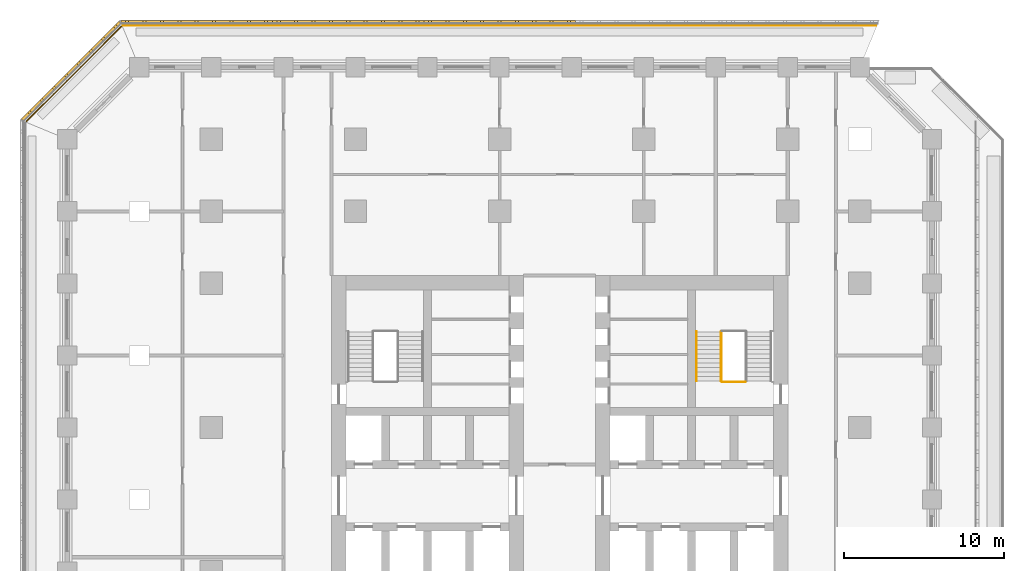
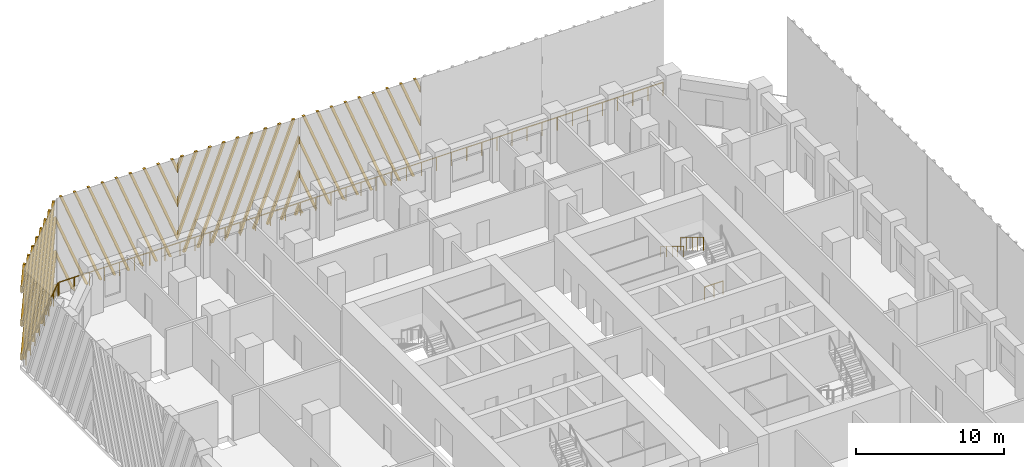
# One storey, part 16 of 19: 5 railings, 4 shading devices.
"""IFC4 building model written with IfcOpenShell, lengths in metres."""

from ifc_helpers import new_model, si_unit, direction, frame, origin, origin_2d, place, context, subcontext, project, spatial, polyline, circle, outline, extrude, source, transform, mapped, material, type_object, element, save


model = new_model("IFC4")

# Units and contexts
model_context = context("Model", 3, precision=1e-05, world=origin(), true_north=direction((0.0, 1.0)))
body_context = subcontext(model_context, "Body", "Model", "MODEL_VIEW")
ifc_project = project(units=[si_unit("LENGTHUNIT", "METRE"), si_unit("AREAUNIT", "SQUARE_METRE"), si_unit("VOLUMEUNIT", "CUBIC_METRE"), si_unit("PLANEANGLEUNIT", "RADIAN"), si_unit("MASSUNIT", "GRAM", prefix="KILO")], contexts=[model_context])

# Site, building, storey
site_placement = place(None, origin())
site = spatial("IfcSite", under=ifc_project, at=site_placement, CompositionType="ELEMENT")
building_placement = place(site_placement, origin())
building = spatial("IfcBuilding", under=site, at=building_placement, Name="Corbel Stack Research Tower", CompositionType="ELEMENT")
storey_placement = place(building_placement, frame((0.0, 0.0, 116.699951171875)))
storey = spatial("IfcBuildingStorey", under=building, at=storey_placement, Name="L26", CompositionType="ELEMENT", Elevation=116.699951171875)

# Railings
ifc_material_1 = material(Name="Steel S355", Category="steel")
railing_type_1 = type_object("IfcRailingType", Name="Stair guard 1100", PredefinedType="GUARDRAIL", material=ifc_material_1)
railing_1_placement = place(storey_placement, frame((13.85009765625, 14.97998046875, 2.220947265625)))
element("IfcRailing", 1, at=railing_1_placement, inside=storey, type_object=railing_type_1, Name="L26 ST-E2 stair guard 4", PredefinedType="GUARDRAIL", context=body_context, shape_type="SweptSolid", body=[
    extrude(circle(Radius=0.02392578125, at=origin_2d()), frame((0.0, 0.0, 1.076171875), z_axis=(0.0, -0.853666305674, 0.52082035152), x_axis=(1.0, 0.0, 0.0)), (0.0, 0.0, 1.0), 3.608154296875),
    extrude(circle(Radius=0.02099609375, at=origin_2d()), origin(), (0.0, 0.0, 1.0), 1.052001953125),
    extrude(circle(Radius=0.02099609375, at=origin_2d()), frame((0.0, -0.77001953125, 0.4697265625)), (0.0, 0.0, 1.0), 1.052001953125),
    extrude(circle(Radius=0.02099609375, at=origin_2d()), frame((0.0, -1.5400390625, 0.939453125)), (0.0, 0.0, 1.0), 1.052001953125),
    extrude(circle(Radius=0.02099609375, at=origin_2d()), frame((0.0, -2.31005859375, 1.409423828125)), (0.0, 0.0, 1.0), 1.052001953125),
    extrude(circle(Radius=0.02099609375, at=origin_2d()), frame((0.0, -3.080078125, 1.879150390625)), (0.0, 0.0, 1.0), 1.052001953125),
])
railing_2_placement = place(storey_placement, frame((15.35009765625, 11.85009765625, 0.0)))
element("IfcRailing", 2, at=railing_2_placement, inside=storey, type_object=railing_type_1, Name="L26 ST-E2 stair guard 5", PredefinedType="GUARDRAIL", context=body_context, shape_type="SweptSolid", body=[
    extrude(circle(Radius=0.02392578125, at=origin_2d()), frame((0.0, 0.0, 1.076171875), z_axis=(-1.0, 0.0, 0.0), x_axis=(0.0, -1.0, 0.0)), (0.0, 0.0, 1.0), 1.4501953125),
    extrude(circle(Radius=0.02099609375, at=origin_2d()), origin(), (0.0, 0.0, 1.0), 1.052001953125),
    extrude(circle(Radius=0.02099609375, at=origin_2d()), frame((-0.72509765625, 0.0, 0.0)), (0.0, 0.0, 1.0), 1.052001953125),
    extrude(circle(Radius=0.02099609375, at=origin_2d()), frame((-1.4501953125, 0.0, 0.0)), (0.0, 0.0, 1.0), 1.052001953125),
])
ifc_material_2 = material(Name="Steel S355", Category="steel")
railing_type_2 = type_object("IfcRailingType", Name="Stair handrail 900", PredefinedType="HANDRAIL", material=ifc_material_2)
railing_3_placement = place(storey_placement, frame((12.300048828125, 14.97998046875, 2.220947265625)))
element("IfcRailing", 3, at=railing_3_placement, inside=storey, type_object=railing_type_2, Name="L26 ST-E2 stair handrail 2", PredefinedType="HANDRAIL", context=body_context, shape_type="SweptSolid", body=[
    extrude(circle(Radius=0.02392578125, at=origin_2d()), frame((0.0, 0.0, 0.8759765625), z_axis=(0.0, -0.853666305674, 0.52082035152), x_axis=(1.0, 0.0, 0.0)), (0.0, 0.0, 1.0), 3.608154296875),
    extrude(circle(Radius=0.02099609375, at=origin_2d()), origin(), (0.0, 0.0, 1.0), 0.851806640625),
    extrude(circle(Radius=0.02099609375, at=origin_2d()), frame((0.0, -0.77001953125, 0.4697265625)), (0.0, 0.0, 1.0), 0.851806640625),
    extrude(circle(Radius=0.02099609375, at=origin_2d()), frame((0.0, -1.5400390625, 0.939453125)), (0.0, 0.0, 1.0), 0.851806640625),
    extrude(circle(Radius=0.02099609375, at=origin_2d()), frame((0.0, -2.31005859375, 1.409423828125)), (0.0, 0.0, 1.0), 0.851806640625),
    extrude(circle(Radius=0.02099609375, at=origin_2d()), frame((0.0, -3.080078125, 1.879150390625)), (0.0, 0.0, 1.0), 0.851806640625),
])
ifc_material_3 = material(Name="Powder-coated steel guard", Category="steel")
railing_type_3 = type_object("IfcRailingType", Name="Steel and glass guard 1100", PredefinedType="GUARDRAIL", material=ifc_material_3)
railing_4_placement = place(storey_placement, frame((23.50537109375, 34.10009765625, 0.0)))
element("IfcRailing", 4, at=railing_4_placement, inside=storey, type_object=railing_type_3, Name="Loggia guard L26 N", PredefinedType="GUARDRAIL", context=body_context, shape_type="SweptSolid", body=[
    extrude(circle(Radius=0.02392578125, at=origin_2d()), frame((0.0, 0.0, 1.076171875), z_axis=(-1.0, 0.0, 0.0), x_axis=(0.0, -1.0, 0.0)), (0.0, 0.0, 1.0), 47.0107421875),
    extrude(circle(Radius=0.02099609375, at=origin_2d()), origin(), (0.0, 0.0, 1.0), 1.052001953125),
    extrude(circle(Radius=0.02099609375, at=origin_2d()), frame((-1.17529296875, 0.0, 0.0)), (0.0, 0.0, 1.0), 1.052001953125),
    extrude(circle(Radius=0.02099609375, at=origin_2d()), frame((-2.3505859375, 0.0, 0.0)), (0.0, 0.0, 1.0), 1.052001953125),
    extrude(circle(Radius=0.02099609375, at=origin_2d()), frame((-3.52587890625, 0.0, 0.0)), (0.0, 0.0, 1.0), 1.052001953125),
    extrude(circle(Radius=0.02099609375, at=origin_2d()), frame((-4.701171875, 0.0, 0.0)), (0.0, 0.0, 1.0), 1.052001953125),
    extrude(circle(Radius=0.02099609375, at=origin_2d()), frame((-5.87646484375, 0.0, 0.0)), (0.0, 0.0, 1.0), 1.052001953125),
    extrude(circle(Radius=0.02099609375, at=origin_2d()), frame((-7.051513671875, 0.0, 0.0)), (0.0, 0.0, 1.0), 1.052001953125),
    extrude(circle(Radius=0.02099609375, at=origin_2d()), frame((-8.226806640625, 0.0, 0.0)), (0.0, 0.0, 1.0), 1.052001953125),
    extrude(circle(Radius=0.02099609375, at=origin_2d()), frame((-9.402099609375, 0.0, 0.0)), (0.0, 0.0, 1.0), 1.052001953125),
    extrude(circle(Radius=0.02099609375, at=origin_2d()), frame((-10.577392578125, 0.0, 0.0)), (0.0, 0.0, 1.0), 1.052001953125),
    extrude(circle(Radius=0.02099609375, at=origin_2d()), frame((-11.752685546875, 0.0, 0.0)), (0.0, 0.0, 1.0), 1.052001953125),
    extrude(circle(Radius=0.02099609375, at=origin_2d()), frame((-12.927978515625, 0.0, 0.0)), (0.0, 0.0, 1.0), 1.052001953125),
    extrude(circle(Radius=0.02099609375, at=origin_2d()), frame((-14.103271484375, 0.0, 0.0)), (0.0, 0.0, 1.0), 1.052001953125),
    extrude(circle(Radius=0.02099609375, at=origin_2d()), frame((-15.278564453125, 0.0, 0.0)), (0.0, 0.0, 1.0), 1.052001953125),
    extrude(circle(Radius=0.02099609375, at=origin_2d()), frame((-16.453857421875, 0.0, 0.0)), (0.0, 0.0, 1.0), 1.052001953125),
    extrude(circle(Radius=0.02099609375, at=origin_2d()), frame((-17.62890625, 0.0, 0.0)), (0.0, 0.0, 1.0), 1.052001953125),
    extrude(circle(Radius=0.02099609375, at=origin_2d()), frame((-18.80419921875, 0.0, 0.0)), (0.0, 0.0, 1.0), 1.052001953125),
    extrude(circle(Radius=0.02099609375, at=origin_2d()), frame((-19.9794921875, 0.0, 0.0)), (0.0, 0.0, 1.0), 1.052001953125),
    extrude(circle(Radius=0.02099609375, at=origin_2d()), frame((-21.15478515625, 0.0, 0.0)), (0.0, 0.0, 1.0), 1.052001953125),
    extrude(circle(Radius=0.02099609375, at=origin_2d()), frame((-22.330078125, 0.0, 0.0)), (0.0, 0.0, 1.0), 1.052001953125),
    extrude(circle(Radius=0.02099609375, at=origin_2d()), frame((-23.50537109375, 0.0, 0.0)), (0.0, 0.0, 1.0), 1.052001953125),
    extrude(circle(Radius=0.02099609375, at=origin_2d()), frame((-24.6806640625, 0.0, 0.0)), (0.0, 0.0, 1.0), 1.052001953125),
    extrude(circle(Radius=0.02099609375, at=origin_2d()), frame((-25.85595703125, 0.0, 0.0)), (0.0, 0.0, 1.0), 1.052001953125),
    extrude(circle(Radius=0.02099609375, at=origin_2d()), frame((-27.03125, 0.0, 0.0)), (0.0, 0.0, 1.0), 1.052001953125),
    extrude(circle(Radius=0.02099609375, at=origin_2d()), frame((-28.20654296875, 0.0, 0.0)), (0.0, 0.0, 1.0), 1.052001953125),
    extrude(circle(Radius=0.02099609375, at=origin_2d()), frame((-29.3818359375, 0.0, 0.0)), (0.0, 0.0, 1.0), 1.052001953125),
    extrude(circle(Radius=0.02099609375, at=origin_2d()), frame((-30.556884765625, 0.0, 0.0)), (0.0, 0.0, 1.0), 1.052001953125),
    extrude(circle(Radius=0.02099609375, at=origin_2d()), frame((-31.732177734375, 0.0, 0.0)), (0.0, 0.0, 1.0), 1.052001953125),
    extrude(circle(Radius=0.02099609375, at=origin_2d()), frame((-32.907470703125, 0.0, 0.0)), (0.0, 0.0, 1.0), 1.052001953125),
    extrude(circle(Radius=0.02099609375, at=origin_2d()), frame((-34.082763671875, 0.0, 0.0)), (0.0, 0.0, 1.0), 1.052001953125),
    extrude(circle(Radius=0.02099609375, at=origin_2d()), frame((-35.258056640625, 0.0, 0.0)), (0.0, 0.0, 1.0), 1.052001953125),
    extrude(circle(Radius=0.02099609375, at=origin_2d()), frame((-36.433349609375, 0.0, 0.0)), (0.0, 0.0, 1.0), 1.052001953125),
    extrude(circle(Radius=0.02099609375, at=origin_2d()), frame((-37.608642578125, 0.0, 0.0)), (0.0, 0.0, 1.0), 1.052001953125),
    extrude(circle(Radius=0.02099609375, at=origin_2d()), frame((-38.783935546875, 0.0, 0.0)), (0.0, 0.0, 1.0), 1.052001953125),
    extrude(circle(Radius=0.02099609375, at=origin_2d()), frame((-39.959228515625, 0.0, 0.0)), (0.0, 0.0, 1.0), 1.052001953125),
    extrude(circle(Radius=0.02099609375, at=origin_2d()), frame((-41.13427734375, 0.0, 0.0)), (0.0, 0.0, 1.0), 1.052001953125),
    extrude(circle(Radius=0.02099609375, at=origin_2d()), frame((-42.3095703125, 0.0, 0.0)), (0.0, 0.0, 1.0), 1.052001953125),
    extrude(circle(Radius=0.02099609375, at=origin_2d()), frame((-43.48486328125, 0.0, 0.0)), (0.0, 0.0, 1.0), 1.052001953125),
    extrude(circle(Radius=0.02099609375, at=origin_2d()), frame((-44.66015625, 0.0, 0.0)), (0.0, 0.0, 1.0), 1.052001953125),
    extrude(circle(Radius=0.02099609375, at=origin_2d()), frame((-45.83544921875, 0.0, 0.0)), (0.0, 0.0, 1.0), 1.052001953125),
    extrude(circle(Radius=0.02099609375, at=origin_2d()), frame((-47.0107421875, 0.0, 0.0)), (0.0, 0.0, 1.0), 1.052001953125),
])
railing_5_placement = place(storey_placement, frame((-23.627685546875, 34.04931640625, 0.0)))
element("IfcRailing", 5, at=railing_5_placement, inside=storey, type_object=railing_type_3, Name="Loggia guard L26 NW", PredefinedType="GUARDRAIL", context=body_context, shape_type="SweptSolid", body=[
    extrude(circle(Radius=0.02392578125, at=origin_2d()), frame((0.0, 0.0, 1.076171875), z_axis=(-0.707106781187, -0.707106781187, 0.0), x_axis=(0.707106781187, -0.707106781187, 0.0)), (0.0, 0.0, 1.0), 8.37451171875),
    extrude(circle(Radius=0.02099609375, at=origin_2d()), origin(), (0.0, 0.0, 1.0), 1.052001953125),
    extrude(circle(Radius=0.02099609375, at=origin_2d()), frame((-0.845947265625, -0.845947265625, 0.0)), (0.0, 0.0, 1.0), 1.052001953125),
    extrude(circle(Radius=0.02099609375, at=origin_2d()), frame((-1.69189453125, -1.69189453125, 0.0)), (0.0, 0.0, 1.0), 1.052001953125),
    extrude(circle(Radius=0.02099609375, at=origin_2d()), frame((-2.537841796875, -2.537841796875, 0.0)), (0.0, 0.0, 1.0), 1.052001953125),
    extrude(circle(Radius=0.02099609375, at=origin_2d()), frame((-3.3837890625, -3.3837890625, 0.0)), (0.0, 0.0, 1.0), 1.052001953125),
    extrude(circle(Radius=0.02099609375, at=origin_2d()), frame((-4.229736328125, -4.229736328125, 0.0)), (0.0, 0.0, 1.0), 1.052001953125),
    extrude(circle(Radius=0.02099609375, at=origin_2d()), frame((-5.07568359375, -5.07568359375, 0.0)), (0.0, 0.0, 1.0), 1.052001953125),
    extrude(circle(Radius=0.02099609375, at=origin_2d()), frame((-5.921630859375, -5.921630859375, 0.0)), (0.0, 0.0, 1.0), 1.052001953125),
])

# Shading devices
ifc_material_4 = material(Name="Precast terracotta", Category="masonry")
shading_device_type = type_object("IfcShadingDeviceType", Name="Terracotta screen panel", PredefinedType="USERDEFINED", material=ifc_material_4)
shared_shape_1 = source(origin(), body_context, "Body", "SweptSolid", [
    extrude(outline(polyline([(0.48828125, 7.949951171875), (0.298095703125, 7.949951171875), (0.0, 7.1865234375), (0.0, 6.699951171875), (0.48828125, 7.949951171875)])), frame((0.0, 0.0, 0.0), z_axis=(0.0, -1.0, 0.0), x_axis=(1.0, 0.0, 0.0)), (0.0, 0.0, 1.0), 0.179931640625),
    extrude(outline(polyline([(1.572998046875, 7.949951171875), (1.3828125, 7.949951171875), (0.0, 4.4091796875), (0.0, 3.922607421875), (1.572998046875, 7.949951171875)])), frame((0.0, 0.0, 0.0), z_axis=(0.0, -1.0, 0.0), x_axis=(1.0, 0.0, 0.0)), (0.0, 0.0, 1.0), 0.179931640625),
    extrude(outline(polyline([(2.657470703125, 7.949951171875), (2.467529296875, 7.949951171875), (0.0, 1.6318359375), (0.0, 1.1455078125), (2.657470703125, 7.949951171875)])), frame((0.0, 0.0, 0.0), z_axis=(0.0, -1.0, 0.0), x_axis=(1.0, 0.0, 0.0)), (0.0, 0.0, 1.0), 0.179931640625),
    extrude(outline(polyline([(0.63720703125, 0.0), (3.7421875, 7.949951171875), (3.55224609375, 7.949951171875), (0.447265625, 0.0), (0.63720703125, 0.0)])), frame((0.0, 0.0, 0.0), z_axis=(0.0, -1.0, 0.0), x_axis=(1.0, 0.0, 0.0)), (0.0, 0.0, 1.0), 0.179931640625),
    extrude(outline(polyline([(1.721923828125, 0.0), (4.826904296875, 7.949951171875), (4.636962890625, 7.949951171875), (1.531982421875, 0.0), (1.721923828125, 0.0)])), frame((0.0, 0.0, 0.0), z_axis=(0.0, -1.0, 0.0), x_axis=(1.0, 0.0, 0.0)), (0.0, 0.0, 1.0), 0.179931640625),
    extrude(outline(polyline([(2.806640625, 0.0), (5.91162109375, 7.949951171875), (5.721435546875, 7.949951171875), (2.61669921875, 0.0), (2.806640625, 0.0)])), frame((0.0, 0.0, 0.0), z_axis=(0.0, -1.0, 0.0), x_axis=(1.0, 0.0, 0.0)), (0.0, 0.0, 1.0), 0.179931640625),
    extrude(outline(polyline([(3.891357421875, 0.0), (6.99609375, 7.949951171875), (6.80615234375, 7.949951171875), (3.701416015625, 0.0), (3.891357421875, 0.0)])), frame((0.0, 0.0, 0.0), z_axis=(0.0, -1.0, 0.0), x_axis=(1.0, 0.0, 0.0)), (0.0, 0.0, 1.0), 0.179931640625),
    extrude(outline(polyline([(4.97607421875, 0.0), (8.080810546875, 7.949951171875), (7.890869140625, 7.949951171875), (4.785888671875, 0.0), (4.97607421875, 0.0)])), frame((0.0, 0.0, 0.0), z_axis=(0.0, -1.0, 0.0), x_axis=(1.0, 0.0, 0.0)), (0.0, 0.0, 1.0), 0.179931640625),
    extrude(outline(polyline([(6.060791015625, 0.0), (9.16552734375, 7.949951171875), (8.9755859375, 7.949951171875), (5.87060546875, 0.0), (6.060791015625, 0.0)])), frame((0.0, 0.0, 0.0), z_axis=(0.0, -1.0, 0.0), x_axis=(1.0, 0.0, 0.0)), (0.0, 0.0, 1.0), 0.179931640625),
    extrude(outline(polyline([(7.145263671875, 0.0), (9.45556640625, 5.91552734375), (9.45556640625, 6.402099609375), (6.955322265625, 0.0), (7.145263671875, 0.0)])), frame((0.0, 0.0, 0.0), z_axis=(0.0, -1.0, 0.0), x_axis=(1.0, 0.0, 0.0)), (0.0, 0.0, 1.0), 0.179931640625),
    extrude(outline(polyline([(8.22998046875, 0.0), (9.45556640625, 3.13818359375), (9.45556640625, 3.624755859375), (8.0400390625, 0.0), (8.22998046875, 0.0)])), frame((0.0, 0.0, 0.0), z_axis=(0.0, -1.0, 0.0), x_axis=(1.0, 0.0, 0.0)), (0.0, 0.0, 1.0), 0.179931640625),
    extrude(outline(polyline([(9.314697265625, 0.0), (9.45556640625, 0.361083984375), (9.45556640625, 0.847412109375), (9.124755859375, 0.0), (9.314697265625, 0.0)])), frame((0.0, 0.0, 0.0), z_axis=(0.0, -1.0, 0.0), x_axis=(1.0, 0.0, 0.0)), (0.0, 0.0, 1.0), 0.179931640625),
])
for number, where, z_axis, x_axis, name in (
    (6, (4.727783203125, 34.25, 0.0), (0.0, 0.0, 1.0), (-1.0, 0.0, 0.0), "Terracotta screen L26 N3"),
    (7, (-14.18359375, 34.25, 0.0), (0.0, 0.0, 1.0), (-1.0, 0.0, 0.0), "Terracotta screen L26 N5"),
):
    element("IfcShadingDevice", number, at=place(storey_placement, frame(where, z_axis=z_axis, x_axis=x_axis)), inside=storey, type_object=shading_device_type, Name=name, ObjectType="SCREEN", PredefinedType="USERDEFINED", context=body_context, shape_type="MappedRepresentation", body=[
        mapped(shared_shape_1, transform((0.0, 0.0, 0.0))),
    ])
shared_shape_2 = source(origin(), body_context, "Body", "SweptSolid", [
    extrude(outline(polyline([(0.3310546875, 0.0), (0.0, 0.847412109375), (0.0, 0.361083984375), (0.14111328125, 0.0), (0.3310546875, 0.0)])), frame((0.0, 0.0, 0.0), z_axis=(0.0, -1.0, 0.0), x_axis=(1.0, 0.0, 0.0)), (0.0, 0.0, 1.0), 0.179931640625),
    extrude(outline(polyline([(1.41552734375, 0.0), (0.0, 3.624755859375), (0.0, 3.13818359375), (1.2255859375, 0.0), (1.41552734375, 0.0)])), frame((0.0, 0.0, 0.0), z_axis=(0.0, -1.0, 0.0), x_axis=(1.0, 0.0, 0.0)), (0.0, 0.0, 1.0), 0.179931640625),
    extrude(outline(polyline([(2.500244140625, 0.0), (0.0, 6.402099609375), (0.0, 5.91552734375), (2.310302734375, 0.0), (2.500244140625, 0.0)])), frame((0.0, 0.0, 0.0), z_axis=(0.0, -1.0, 0.0), x_axis=(1.0, 0.0, 0.0)), (0.0, 0.0, 1.0), 0.179931640625),
    extrude(outline(polyline([(3.5849609375, 0.0), (0.47998046875, 7.949951171875), (0.2900390625, 7.949951171875), (3.39501953125, 0.0), (3.5849609375, 0.0)])), frame((0.0, 0.0, 0.0), z_axis=(0.0, -1.0, 0.0), x_axis=(1.0, 0.0, 0.0)), (0.0, 0.0, 1.0), 0.179931640625),
    extrude(outline(polyline([(4.669677734375, 0.0), (1.564697265625, 7.949951171875), (1.374755859375, 7.949951171875), (4.4794921875, 0.0), (4.669677734375, 0.0)])), frame((0.0, 0.0, 0.0), z_axis=(0.0, -1.0, 0.0), x_axis=(1.0, 0.0, 0.0)), (0.0, 0.0, 1.0), 0.179931640625),
    extrude(outline(polyline([(5.75439453125, 0.0), (2.6494140625, 7.949951171875), (2.45947265625, 7.949951171875), (5.564208984375, 0.0), (5.75439453125, 0.0)])), frame((0.0, 0.0, 0.0), z_axis=(0.0, -1.0, 0.0), x_axis=(1.0, 0.0, 0.0)), (0.0, 0.0, 1.0), 0.179931640625),
    extrude(outline(polyline([(6.839111328125, 0.0), (3.734130859375, 7.949951171875), (3.544189453125, 7.949951171875), (6.64892578125, 0.0), (6.839111328125, 0.0)])), frame((0.0, 0.0, 0.0), z_axis=(0.0, -1.0, 0.0), x_axis=(1.0, 0.0, 0.0)), (0.0, 0.0, 1.0), 0.179931640625),
    extrude(outline(polyline([(7.923583984375, 0.0), (4.81884765625, 7.949951171875), (4.62890625, 7.949951171875), (7.733642578125, 0.0), (7.923583984375, 0.0)])), frame((0.0, 0.0, 0.0), z_axis=(0.0, -1.0, 0.0), x_axis=(1.0, 0.0, 0.0)), (0.0, 0.0, 1.0), 0.179931640625),
    extrude(outline(polyline([(9.00830078125, 0.0), (5.903564453125, 7.949951171875), (5.71337890625, 7.949951171875), (8.818359375, 0.0), (9.00830078125, 0.0)])), frame((0.0, 0.0, 0.0), z_axis=(0.0, -1.0, 0.0), x_axis=(1.0, 0.0, 0.0)), (0.0, 0.0, 1.0), 0.179931640625),
    extrude(outline(polyline([(6.988037109375, 7.949951171875), (6.798095703125, 7.949951171875), (9.45556640625, 1.1455078125), (9.45556640625, 1.6318359375), (6.988037109375, 7.949951171875)])), frame((0.0, 0.0, 0.0), z_axis=(0.0, -1.0, 0.0), x_axis=(1.0, 0.0, 0.0)), (0.0, 0.0, 1.0), 0.179931640625),
    extrude(outline(polyline([(8.07275390625, 7.949951171875), (7.8828125, 7.949951171875), (9.45556640625, 3.922607421875), (9.45556640625, 4.4091796875), (8.07275390625, 7.949951171875)])), frame((0.0, 0.0, 0.0), z_axis=(0.0, -1.0, 0.0), x_axis=(1.0, 0.0, 0.0)), (0.0, 0.0, 1.0), 0.179931640625),
    extrude(outline(polyline([(9.157470703125, 7.949951171875), (8.96728515625, 7.949951171875), (9.45556640625, 6.699951171875), (9.45556640625, 7.1865234375), (9.157470703125, 7.949951171875)])), frame((0.0, 0.0, 0.0), z_axis=(0.0, -1.0, 0.0), x_axis=(1.0, 0.0, 0.0)), (0.0, 0.0, 1.0), 0.179931640625),
])
shading_device_1_placement = place(storey_placement, frame((-4.727783203125, 34.25, 0.0), z_axis=(0.0, 0.0, 1.0), x_axis=(-1.0, 0.0, 0.0)))
element("IfcShadingDevice", 8, at=shading_device_1_placement, inside=storey, type_object=shading_device_type, Name="Terracotta screen L26 N4", ObjectType="SCREEN", PredefinedType="USERDEFINED", context=body_context, shape_type="MappedRepresentation", body=[
    mapped(shared_shape_2, transform((0.0, 0.0, 0.0))),
])
shared_shape_3 = source(origin(), body_context, "Body", "SweptSolid", [
    extrude(outline(polyline([(0.3310546875, 0.0), (0.0, 0.847412109375), (0.0, 0.361083984375), (0.14111328125, 0.0), (0.3310546875, 0.0)])), frame((0.0, 0.0, 0.0), z_axis=(0.0, -1.0, 0.0), x_axis=(1.0, 0.0, 0.0)), (0.0, 0.0, 1.0), 0.179931640625),
    extrude(outline(polyline([(1.41552734375, 0.0), (0.0, 3.624755859375), (0.0, 3.13818359375), (1.2255859375, 0.0), (1.41552734375, 0.0)])), frame((0.0, 0.0, 0.0), z_axis=(0.0, -1.0, 0.0), x_axis=(1.0, 0.0, 0.0)), (0.0, 0.0, 1.0), 0.179931640625),
    extrude(outline(polyline([(2.500244140625, 0.0), (0.0, 6.402099609375), (0.0, 5.91552734375), (2.310302734375, 0.0), (2.500244140625, 0.0)])), frame((0.0, 0.0, 0.0), z_axis=(0.0, -1.0, 0.0), x_axis=(1.0, 0.0, 0.0)), (0.0, 0.0, 1.0), 0.179931640625),
    extrude(outline(polyline([(3.5849609375, 0.0), (0.47998046875, 7.949951171875), (0.2900390625, 7.949951171875), (3.39501953125, 0.0), (3.5849609375, 0.0)])), frame((0.0, 0.0, 0.0), z_axis=(0.0, -1.0, 0.0), x_axis=(1.0, 0.0, 0.0)), (0.0, 0.0, 1.0), 0.179931640625),
    extrude(outline(polyline([(4.669677734375, 0.0), (1.564697265625, 7.949951171875), (1.374755859375, 7.949951171875), (4.4794921875, 0.0), (4.669677734375, 0.0)])), frame((0.0, 0.0, 0.0), z_axis=(0.0, -1.0, 0.0), x_axis=(1.0, 0.0, 0.0)), (0.0, 0.0, 1.0), 0.179931640625),
    extrude(outline(polyline([(5.75439453125, 0.0), (2.6494140625, 7.949951171875), (2.45947265625, 7.949951171875), (5.564208984375, 0.0), (5.75439453125, 0.0)])), frame((0.0, 0.0, 0.0), z_axis=(0.0, -1.0, 0.0), x_axis=(1.0, 0.0, 0.0)), (0.0, 0.0, 1.0), 0.179931640625),
    extrude(outline(polyline([(6.839111328125, 0.0), (3.734130859375, 7.949951171875), (3.544189453125, 7.949951171875), (6.64892578125, 0.0), (6.839111328125, 0.0)])), frame((0.0, 0.0, 0.0), z_axis=(0.0, -1.0, 0.0), x_axis=(1.0, 0.0, 0.0)), (0.0, 0.0, 1.0), 0.179931640625),
    extrude(outline(polyline([(7.923583984375, 0.0), (4.81884765625, 7.949951171875), (4.62890625, 7.949951171875), (7.733642578125, 0.0), (7.923583984375, 0.0)])), frame((0.0, 0.0, 0.0), z_axis=(0.0, -1.0, 0.0), x_axis=(1.0, 0.0, 0.0)), (0.0, 0.0, 1.0), 0.179931640625),
    extrude(outline(polyline([(5.903564453125, 7.949951171875), (5.71337890625, 7.949951171875), (8.64208984375, 0.451171875), (8.64208984375, 0.9375), (5.903564453125, 7.949951171875)])), frame((0.0, 0.0, 0.0), z_axis=(0.0, -1.0, 0.0), x_axis=(1.0, 0.0, 0.0)), (0.0, 0.0, 1.0), 0.179931640625),
    extrude(outline(polyline([(6.988037109375, 7.949951171875), (6.798095703125, 7.949951171875), (8.64208984375, 3.228515625), (8.64208984375, 3.71484375), (6.988037109375, 7.949951171875)])), frame((0.0, 0.0, 0.0), z_axis=(0.0, -1.0, 0.0), x_axis=(1.0, 0.0, 0.0)), (0.0, 0.0, 1.0), 0.179931640625),
    extrude(outline(polyline([(8.07275390625, 7.949951171875), (7.8828125, 7.949951171875), (8.64208984375, 6.005615234375), (8.64208984375, 6.4921875), (8.07275390625, 7.949951171875)])), frame((0.0, 0.0, 0.0), z_axis=(0.0, -1.0, 0.0), x_axis=(1.0, 0.0, 0.0)), (0.0, 0.0, 1.0), 0.179931640625),
])
shading_device_2_placement = place(storey_placement, frame((-23.63916015625, 34.25, 0.0), z_axis=(0.0, 0.0, 1.0), x_axis=(-0.707106781187, -0.707106781187, 0.0)))
element("IfcShadingDevice", 9, at=shading_device_2_placement, inside=storey, type_object=shading_device_type, Name="Terracotta screen L26 NW1", ObjectType="SCREEN", PredefinedType="USERDEFINED", context=body_context, shape_type="MappedRepresentation", body=[
    mapped(shared_shape_3, transform((0.0, 0.0, 0.0))),
])

save(model, "model.ifc")
